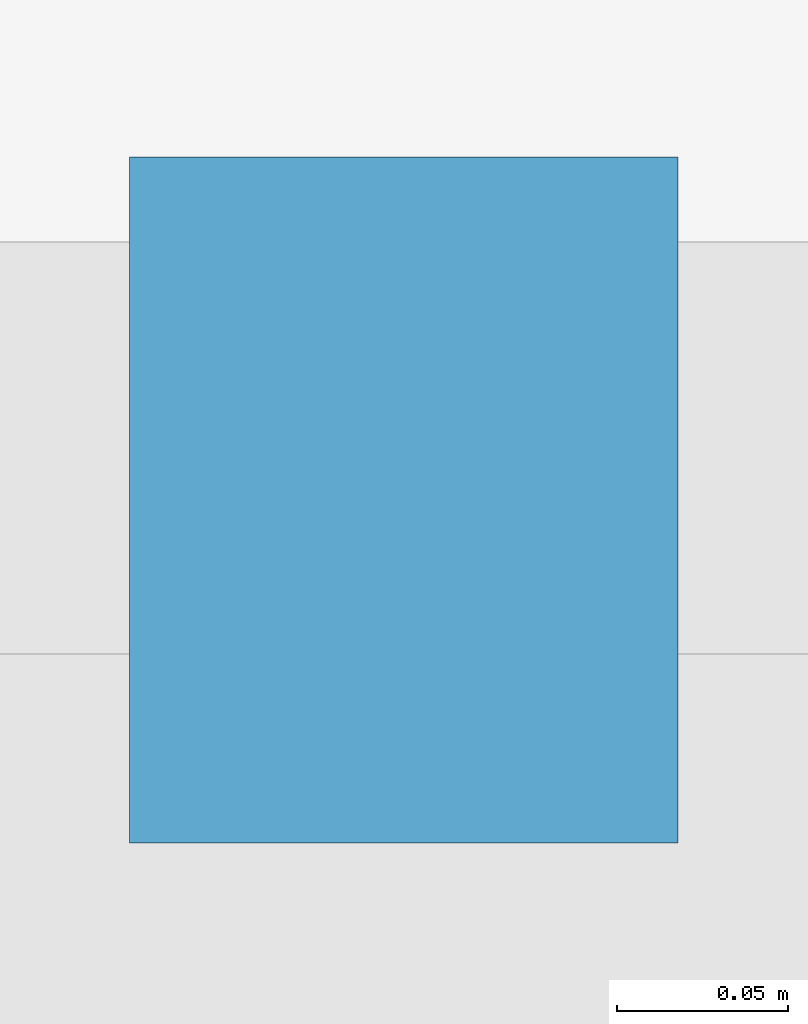
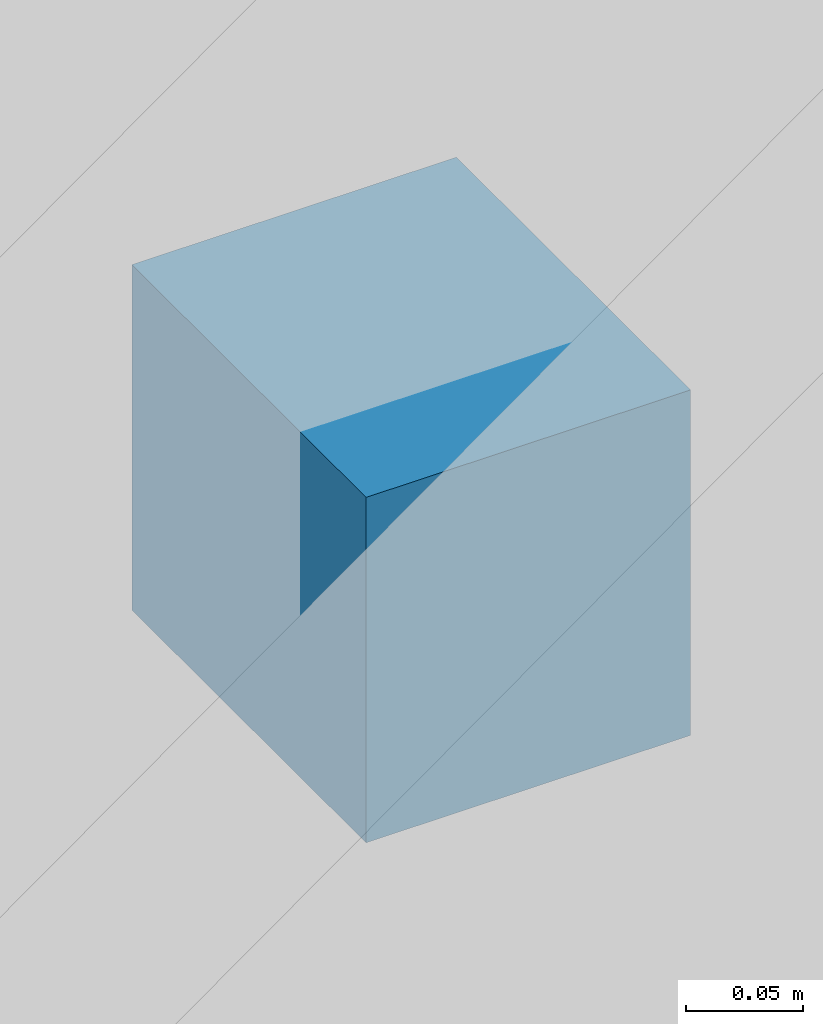
# One storey, part 17 of 22: 1 discrete accessory.
"""IFC4 building model written with IfcOpenShell, lengths in metres."""

from ifc_helpers import new_model, si_unit, direction, frame, origin, origin_2d, place, context, subcontext, project, spatial, rectangle, extrude, material, type_object, element, save


model = new_model("IFC4")

# Units and contexts
model_context = context("Model", 3, precision=1e-05, world=origin(), true_north=direction((0.0, 1.0)))
body_context = subcontext(model_context, "Body", "Model", "MODEL_VIEW")
ifc_project = project(units=[si_unit("LENGTHUNIT", "METRE"), si_unit("AREAUNIT", "SQUARE_METRE"), si_unit("VOLUMEUNIT", "CUBIC_METRE"), si_unit("PLANEANGLEUNIT", "RADIAN"), si_unit("MASSUNIT", "GRAM", prefix="KILO")], contexts=[model_context])

# Site, building, storey
site_placement = place(None, origin())
site = spatial("IfcSite", under=ifc_project, at=site_placement, CompositionType="ELEMENT")
building_placement = place(site_placement, origin())
building = spatial("IfcBuilding", under=site, at=building_placement, Name="Koriwani Terraces Tower", CompositionType="ELEMENT")
storey_placement = place(building_placement, frame((0.0, 0.0, 6.0)))
storey = spatial("IfcBuildingStorey", under=building, at=storey_placement, Name="L01", CompositionType="ELEMENT", Elevation=6.0)

# Discrete accessory
ifc_material = material(Name="Steel ASTM A572 Grade 50", Category="steel")
discrete_accessory_type = type_object("IfcDiscreteAccessoryType", Name="BAGUETTE_STANDOFF_BRACKET", PredefinedType="BRACKET", material=ifc_material)
discrete_accessory_placement = place(storey_placement, frame((71.39990234375, 0.389892578125, 2.13525390625), z_axis=(0.0, 0.0, 1.0), x_axis=(-1.0, 0.0, 0.0)))
element("IfcDiscreteAccessory", 1, at=discrete_accessory_placement, inside=storey, type_object=discrete_accessory_type, Name="L01 Terracotta Baguette Bracket (S-24)", PredefinedType="BRACKET", context=body_context, shape_type="SweptSolid", body=[
    extrude(rectangle(XDim=0.159912109375, YDim=0.199951171875, at=origin_2d()), origin(), (0.0, 0.0, 1.0), 0.179931640625),
])

save(model, "model.ifc")
